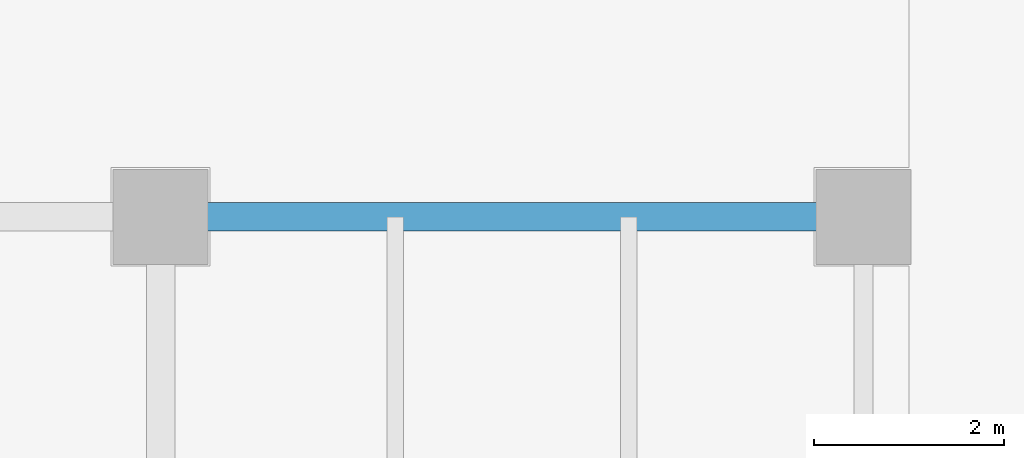
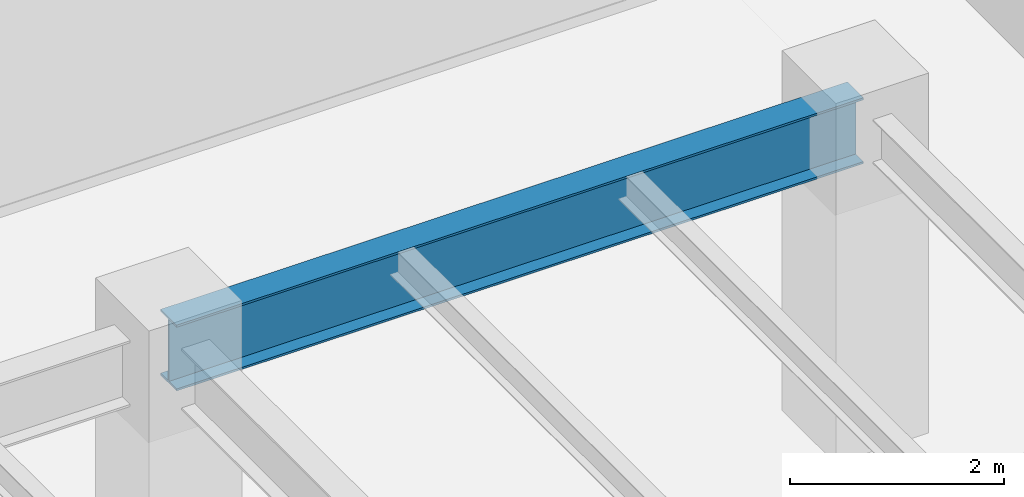
# One storey, part 21 of 36: 1 beam.
"""IFC4 building model written with IfcOpenShell, lengths in metres."""

from ifc_helpers import new_model, si_unit, direction, frame, origin, origin_2d, place, context, subcontext, project, spatial, i_section, extrude, source, transform, mapped, material, material_profile, profile_set, type_object, type_shapes, element, save


model = new_model("IFC4")

# Units and contexts
model_context = context("Model", 3, precision=1e-05, world=origin(), true_north=direction((0.0, 1.0)))
body_context = subcontext(model_context, "Body", "Model", "MODEL_VIEW")
ifc_project = project(units=[si_unit("LENGTHUNIT", "METRE"), si_unit("AREAUNIT", "SQUARE_METRE"), si_unit("VOLUMEUNIT", "CUBIC_METRE"), si_unit("PLANEANGLEUNIT", "RADIAN"), si_unit("MASSUNIT", "GRAM", prefix="KILO")], contexts=[model_context])

# Site, building, storey
site_placement = place(None, origin())
site = spatial("IfcSite", under=ifc_project, at=site_placement, CompositionType="ELEMENT")
building_placement = place(site_placement, origin())
building = spatial("IfcBuilding", under=site, at=building_placement, Name="Haelvirn Gate Laboratories", CompositionType="ELEMENT")
storey_placement = place(building_placement, frame((0.0, 0.0, 53.89990234375)))
storey = spatial("IfcBuildingStorey", under=building, at=storey_placement, Name="L13", CompositionType="ELEMENT", Elevation=53.89990234375)

# Beam
ifc_material = material(Name="Steel SM355", Category="steel")
ifc_material_profile = material_profile(ifc_material, i_section(OverallWidth=0.300048828125, OverallDepth=0.75, WebThickness=0.013916015625, FlangeThickness=0.02392578125, at=origin_2d()), Name="H-750x300x14x24")
ifc_profile_set = profile_set([ifc_material_profile], Name="Steel SM355")
beam_type = type_object("IfcBeamType", Name="BM-G-750", PredefinedType="BEAM", material=ifc_profile_set)
shared_shape = source(origin(), body_context, "Body", "SweptSolid", [
    extrude(i_section(OverallWidth=0.300048828125, OverallDepth=0.75, WebThickness=0.013916015625, FlangeThickness=0.02392578125, at=origin_2d()), origin(), (0.0, 0.0, 1.0), 7.39990234375),
])
type_shapes(beam_type, [shared_shape])
beam_placement = place(storey_placement, frame((60.0, 41.60009765625, 3.405029296875), z_axis=(1.0, 0.0, 0.0), x_axis=(0.0, 1.0, 0.0)))
element("IfcBeam", 1, at=beam_placement, inside=storey, type_object=beam_type, Name="L13 Primary Girder Y41.6 (60.0-67.4)", PredefinedType="BEAM", context=body_context, shape_type="MappedRepresentation", body=[
    mapped(shared_shape, transform((0.0, 0.0, 0.0), scale=1.0)),
])

save(model, "model.ifc")
